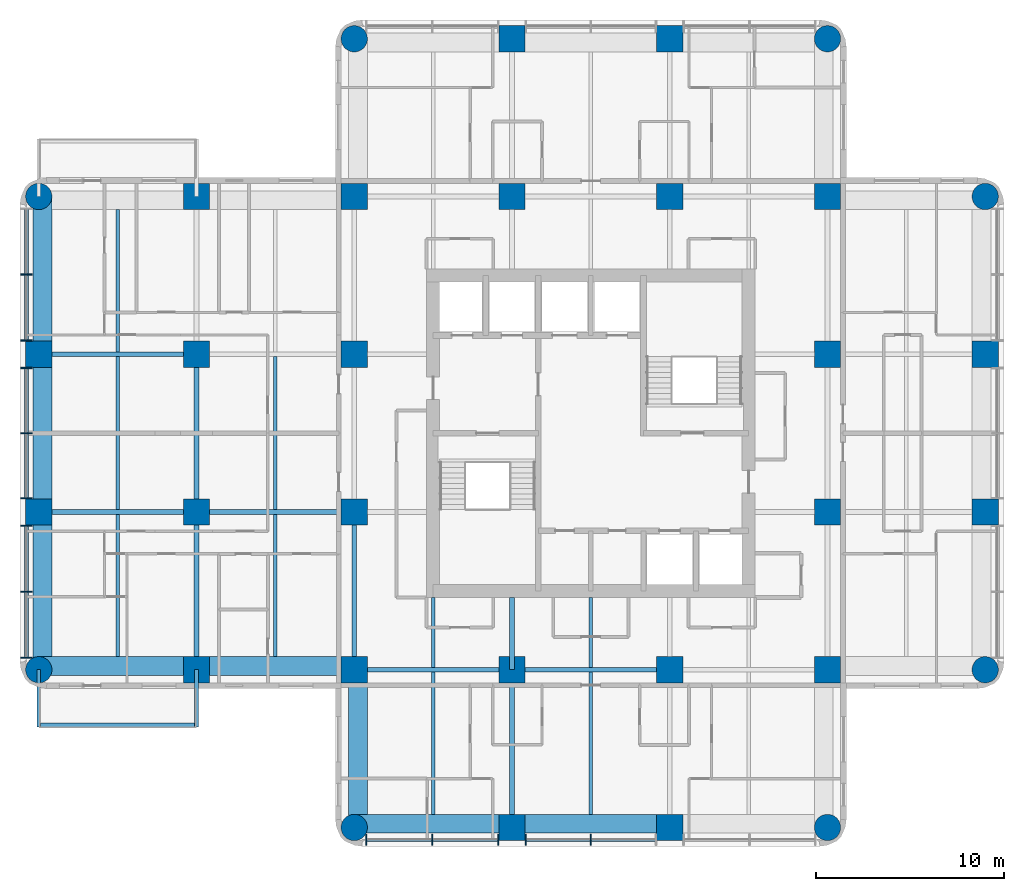
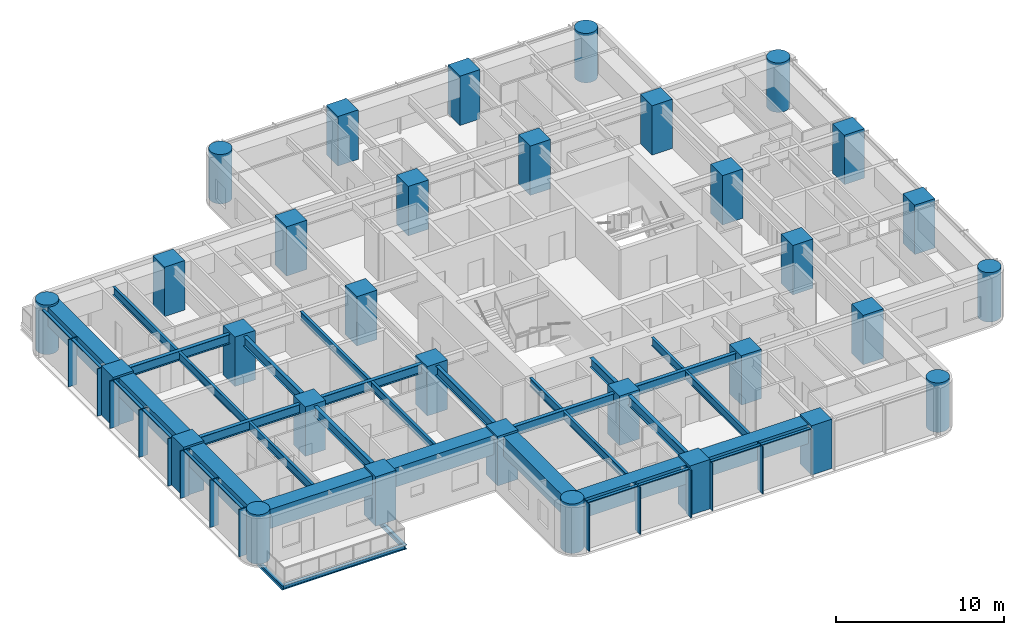
# One storey, part 1 of 11: 32 columns, 30 beams, 23 members, 2 elements without a shape of their own.
"""IFC4 building model written with IfcOpenShell, lengths in metres."""

from ifc_helpers import new_model, si_unit, direction, frame, origin, origin_2d, place, context, subcontext, project, spatial, rectangle, circle, i_section, extrude, material, material_profile, profile_set, type_object, element, aggregate, save


model = new_model("IFC4")

# Units and contexts
model_context = context("Model", 3, precision=1e-05, world=origin(), true_north=direction((0.0, 1.0)))
body_context = subcontext(model_context, "Body", "Model", "MODEL_VIEW")
ifc_project = project(units=[si_unit("LENGTHUNIT", "METRE"), si_unit("AREAUNIT", "SQUARE_METRE"), si_unit("VOLUMEUNIT", "CUBIC_METRE"), si_unit("PLANEANGLEUNIT", "RADIAN"), si_unit("MASSUNIT", "GRAM", prefix="KILO")], contexts=[model_context])

# Site, building, storey
site_placement = place(None, origin())
site = spatial("IfcSite", under=ifc_project, at=site_placement, CompositionType="ELEMENT")
building_placement = place(site_placement, origin())
building = spatial("IfcBuilding", under=site, at=building_placement, Name="Torre Alcanfor", CompositionType="ELEMENT")
storey_placement = place(building_placement, frame((0.0, 0.0, 194.10009765625)))
storey = spatial("IfcBuildingStorey", under=building, at=storey_placement, Name="L50", CompositionType="ELEMENT", Elevation=194.10009765625)

# Columns
ifc_material_1 = material(Name="Concrete f'c 70 MPa", Category="concrete")
ifc_material_profile_1 = material_profile(ifc_material_1, rectangle(XDim=1.39990234375, YDim=1.39990234375, at=origin_2d()), Name="1400x1400")
ifc_profile_set_1 = profile_set([ifc_material_profile_1], Name="Concrete f'c 70 MPa")
column_type_1 = type_object("IfcColumnType", Name="RC column 1400x1400 f'c70", PredefinedType="COLUMN", material=ifc_profile_set_1)
for number, where, z_axis, x_axis, name in (
    (1, (0.0, 25.199951171875, 0.0), (0.0, 0.0, 1.0), (1.0, 0.0, 0.0), "Column 1/F L50"),
    (2, (0.0, 33.60009765625, 0.0), (0.0, 0.0, 1.0), (1.0, 0.0, 0.0), "Column 1/G L50"),
    (3, (8.39990234375, 16.800048828125, 0.0), (0.0, 0.0, 1.0), (1.0, 0.0, 0.0), "Column 2/E L50"),
    (4, (8.39990234375, 25.199951171875, 0.0), (0.0, 0.0, 1.0), (1.0, 0.0, 0.0), "Column 2/F L50"),
    (5, (8.39990234375, 33.60009765625, 0.0), (0.0, 0.0, 1.0), (1.0, 0.0, 0.0), "Column 2/G L50"),
    (6, (8.39990234375, 42.0, 0.0), (0.0, 0.0, 1.0), (1.0, 0.0, 0.0), "Column 2/H L50"),
    (7, (16.800048828125, 16.800048828125, 0.0), (0.0, 0.0, 1.0), (1.0, 0.0, 0.0), "Column 3/E L50"),
    (8, (16.800048828125, 25.199951171875, 0.0), (0.0, 0.0, 1.0), (1.0, 0.0, 0.0), "Column 3/F L50"),
    (9, (16.800048828125, 33.60009765625, 0.0), (0.0, 0.0, 1.0), (1.0, 0.0, 0.0), "Column 3/G L50"),
    (10, (16.800048828125, 42.0, 0.0), (0.0, 0.0, 1.0), (1.0, 0.0, 0.0), "Column 3/H L50"),
    (11, (25.199951171875, 8.39990234375, 0.0), (0.0, 0.0, 1.0), (1.0, 0.0, 0.0), "Column 4/D L50"),
    (12, (25.199951171875, 16.800048828125, 0.0), (0.0, 0.0, 1.0), (1.0, 0.0, 0.0), "Column 4/E L50"),
    (13, (25.199951171875, 42.0, 0.0), (0.0, 0.0, 1.0), (1.0, 0.0, 0.0), "Column 4/H L50"),
    (14, (25.199951171875, 50.39990234375, 0.0), (0.0, 0.0, 1.0), (1.0, 0.0, 0.0), "Column 4/J L50"),
    (15, (33.60009765625, 8.39990234375, 0.0), (0.0, 0.0, 1.0), (1.0, 0.0, 0.0), "Column 5/D L50"),
    (16, (33.60009765625, 16.800048828125, 0.0), (0.0, 0.0, 1.0), (1.0, 0.0, 0.0), "Column 5/E L50"),
    (17, (33.60009765625, 42.0, 0.0), (0.0, 0.0, 1.0), (1.0, 0.0, 0.0), "Column 5/H L50"),
    (18, (33.60009765625, 50.39990234375, 0.0), (0.0, 0.0, 1.0), (1.0, 0.0, 0.0), "Column 5/J L50"),
    (19, (42.0, 16.800048828125, 0.0), (0.0, 0.0, 1.0), (1.0, 0.0, 0.0), "Column 6/E L50"),
    (20, (42.0, 25.199951171875, 0.0), (0.0, 0.0, 1.0), (1.0, 0.0, 0.0), "Column 6/F L50"),
    (21, (42.0, 33.60009765625, 0.0), (0.0, 0.0, 1.0), (1.0, 0.0, 0.0), "Column 6/G L50"),
    (22, (42.0, 42.0, 0.0), (0.0, 0.0, 1.0), (1.0, 0.0, 0.0), "Column 6/H L50"),
    (23, (50.39990234375, 25.199951171875, 0.0), (0.0, 0.0, 1.0), (1.0, 0.0, 0.0), "Column 7/F L50"),
    (24, (50.39990234375, 33.60009765625, 0.0), (0.0, 0.0, 1.0), (1.0, 0.0, 0.0), "Column 7/G L50"),
):
    element("IfcColumn", number, at=place(storey_placement, frame(where, z_axis=z_axis, x_axis=x_axis)), inside=storey, type_object=column_type_1, Name=name, PredefinedType="COLUMN", context=body_context, shape_type="SweptSolid", body=[
        extrude(rectangle(XDim=1.39990234375, YDim=1.39990234375, at=origin_2d()), origin(), (0.0, 0.0, 1.0), 3.599853515625),
    ])
ifc_material_2 = material(Name="Concrete f'c 70 MPa", Category="concrete")
ifc_material_profile_2 = material_profile(ifc_material_2, circle(Radius=0.699951171875, at=origin_2d()), Name="D1400")
ifc_profile_set_2 = profile_set([ifc_material_profile_2], Name="Concrete f'c 70 MPa")
column_type_2 = type_object("IfcColumnType", Name="RC column D1400 f'c70", PredefinedType="COLUMN", material=ifc_profile_set_2)
for number, where, z_axis, x_axis, name in (
    (25, (0.0, 16.800048828125, 0.0), (0.0, 0.0, 1.0), (1.0, 0.0, 0.0), "Column 1/E L50"),
    (26, (0.0, 42.0, 0.0), (0.0, 0.0, 1.0), (1.0, 0.0, 0.0), "Column 1/H L50"),
    (27, (16.800048828125, 8.39990234375, 0.0), (0.0, 0.0, 1.0), (1.0, 0.0, 0.0), "Column 3/D L50"),
    (28, (16.800048828125, 50.39990234375, 0.0), (0.0, 0.0, 1.0), (1.0, 0.0, 0.0), "Column 3/J L50"),
    (29, (42.0, 8.39990234375, 0.0), (0.0, 0.0, 1.0), (1.0, 0.0, 0.0), "Column 6/D L50"),
    (30, (42.0, 50.39990234375, 0.0), (0.0, 0.0, 1.0), (1.0, 0.0, 0.0), "Column 6/J L50"),
    (31, (50.39990234375, 16.800048828125, 0.0), (0.0, 0.0, 1.0), (1.0, 0.0, 0.0), "Column 7/E L50"),
    (32, (50.39990234375, 42.0, 0.0), (0.0, 0.0, 1.0), (1.0, 0.0, 0.0), "Column 7/H L50"),
):
    element("IfcColumn", number, at=place(storey_placement, frame(where, z_axis=z_axis, x_axis=x_axis)), inside=storey, type_object=column_type_2, Name=name, PredefinedType="COLUMN", context=body_context, shape_type="SweptSolid", body=[
        extrude(circle(Radius=0.699951171875, at=origin_2d()), origin(), (0.0, 0.0, 1.0), 3.599853515625),
    ])

# Beams
ifc_material_3 = material(Name="Steel ASTM A992 Grade 50", Category="steel")
ifc_material_profile_3 = material_profile(ifc_material_3, i_section(OverallWidth=0.205322265625, OverallDepth=0.309814453125, WebThickness=0.00927734375, FlangeThickness=0.016357421875, at=origin_2d()), Name="W12x50")
ifc_profile_set_3 = profile_set([ifc_material_profile_3], Name="Steel ASTM A992 Grade 50")
beam_type_1 = type_object("IfcBeamType", Name="Balcony cantilever beam W12x50", PredefinedType="BEAM", material=ifc_profile_set_3)
for number, where, z_axis, x_axis, name in (
    (33, (8.39990234375, 16.800048828125, -0.35498046875), (0.0, -1.0, 0.0), (1.0, 0.0, 0.0), "Balcony cantilever beam L50-W1 1"),
    (34, (0.0, 16.800048828125, -0.35498046875), (0.0, -1.0, 0.0), (1.0, 0.0, 0.0), "Balcony cantilever beam L50-W1 2"),
):
    element("IfcBeam", number, at=place(storey_placement, frame(where, z_axis=z_axis, x_axis=x_axis)), inside=storey, type_object=beam_type_1, Name=name, PredefinedType="BEAM", context=body_context, shape_type="SweptSolid", body=[
        extrude(i_section(OverallWidth=0.205322265625, OverallDepth=0.309814453125, WebThickness=0.00927734375, FlangeThickness=0.016357421875, at=origin_2d()), origin(), (0.0, 0.0, 1.0), 3.050048828125),
    ])
ifc_material_4 = material(Name="Steel ASTM A992 Grade 50", Category="steel")
ifc_material_profile_4 = material_profile(ifc_material_4, i_section(OverallWidth=0.203369140625, OverallDepth=0.30224609375, WebThickness=0.007568359375, FlangeThickness=0.01318359375, at=origin_2d()), Name="W12x40")
ifc_profile_set_4 = profile_set([ifc_material_profile_4], Name="Steel ASTM A992 Grade 50")
beam_type_2 = type_object("IfcBeamType", Name="Balcony edge trimmer W12x40", PredefinedType="BEAM", material=ifc_profile_set_4)
beam_1_placement = place(storey_placement, frame((8.39990234375, 13.851806640625, -0.351318359375), z_axis=(-1.0, 0.0, 0.0), x_axis=(0.0, -1.0, 0.0)))
element("IfcBeam", 35, at=beam_1_placement, inside=storey, type_object=beam_type_2, Name="Balcony edge trimmer L50-W1", PredefinedType="BEAM", context=body_context, shape_type="SweptSolid", body=[
    extrude(i_section(OverallWidth=0.203369140625, OverallDepth=0.30224609375, WebThickness=0.007568359375, FlangeThickness=0.01318359375, at=origin_2d()), origin(), (0.0, 0.0, 1.0), 8.39990234375),
])

# Curtain wall, members
ifc_material_5 = material(Name="Aluminium and glass", Category="aluminium")
curtain_wall_type = type_object("IfcCurtainWallType", Name="CW-A unitised apartment glazing with vertical FIN", PredefinedType="NOTDEFINED", material=ifc_material_5)
curtain_wall_1_placement = place(storey_placement, origin())
curtain_wall_1 = element("IfcCurtainWall", 36, at=curtain_wall_1_placement, inside=storey, type_object=curtain_wall_type, Name="Curtain wall CW-A L50 2", PredefinedType="NOTDEFINED")
ifc_material_6 = material(Name="Bronze anodised aluminium", Category="aluminium")
ifc_material_profile_5 = material_profile(ifc_material_6, rectangle(XDim=0.60009765625, YDim=0.06494140625, at=origin_2d()), Name="CW-A mullion 65x600")
ifc_profile_set_5 = profile_set([ifc_material_profile_5], Name="Bronze anodised aluminium")
member_type_1 = type_object("IfcMemberType", Name="CW-A mullion with vertical FIN 65x600", PredefinedType="MULLION", material=ifc_profile_set_5)
member_1_placement = place(storey_placement, frame((-0.64990234375, 37.846435546875, 0.0), z_axis=(0.0, 0.0, 1.0), x_axis=(1.0, 0.0, 0.0)))
member_1 = element("IfcMember", 37, at=member_1_placement, type_object=member_type_1, Name="CW-A mullion 1.2", PredefinedType="MULLION", context=body_context, shape_type="SweptSolid", body=[
    extrude(rectangle(XDim=0.60009765625, YDim=0.06494140625, at=origin_2d()), origin(), (0.0, 0.0, 1.0), 3.449951171875),
])
member_2_placement = place(storey_placement, frame((-0.64990234375, 34.33740234375, 0.0), z_axis=(0.0, 0.0, 1.0), x_axis=(1.0, 0.0, 0.0)))
member_2 = element("IfcMember", 38, at=member_2_placement, type_object=member_type_1, Name="CW-A mullion 1.3", PredefinedType="MULLION", context=body_context, shape_type="SweptSolid", body=[
    extrude(rectangle(XDim=0.60009765625, YDim=0.06494140625, at=origin_2d()), origin(), (0.0, 0.0, 1.0), 3.449951171875),
])
member_3_placement = place(storey_placement, frame((-0.64990234375, 32.862548828125, 0.0), z_axis=(0.0, 0.0, 1.0), x_axis=(1.0, 0.0, 0.0)))
member_3 = element("IfcMember", 39, at=member_3_placement, type_object=member_type_1, Name="CW-A mullion 2.1", PredefinedType="MULLION", context=body_context, shape_type="SweptSolid", body=[
    extrude(rectangle(XDim=0.60009765625, YDim=0.06494140625, at=origin_2d()), origin(), (0.0, 0.0, 1.0), 3.449951171875),
])
member_4_placement = place(storey_placement, frame((-0.64990234375, 29.39990234375, 0.0), z_axis=(0.0, 0.0, 1.0), x_axis=(1.0, 0.0, 0.0)))
member_4 = element("IfcMember", 40, at=member_4_placement, type_object=member_type_1, Name="CW-A mullion 2.2", PredefinedType="MULLION", context=body_context, shape_type="SweptSolid", body=[
    extrude(rectangle(XDim=0.60009765625, YDim=0.06494140625, at=origin_2d()), origin(), (0.0, 0.0, 1.0), 3.449951171875),
])
member_5_placement = place(storey_placement, frame((-0.64990234375, 25.9375, 0.0), z_axis=(0.0, 0.0, 1.0), x_axis=(1.0, 0.0, 0.0)))
member_5 = element("IfcMember", 41, at=member_5_placement, type_object=member_type_1, Name="CW-A mullion 2.3", PredefinedType="MULLION", context=body_context, shape_type="SweptSolid", body=[
    extrude(rectangle(XDim=0.60009765625, YDim=0.06494140625, at=origin_2d()), origin(), (0.0, 0.0, 1.0), 3.449951171875),
])
member_6_placement = place(storey_placement, frame((-0.64990234375, 24.46240234375, 0.0), z_axis=(0.0, 0.0, 1.0), x_axis=(1.0, 0.0, 0.0)))
member_6 = element("IfcMember", 42, at=member_6_placement, type_object=member_type_1, Name="CW-A mullion 3.1", PredefinedType="MULLION", context=body_context, shape_type="SweptSolid", body=[
    extrude(rectangle(XDim=0.60009765625, YDim=0.06494140625, at=origin_2d()), origin(), (0.0, 0.0, 1.0), 3.449951171875),
])
member_7_placement = place(storey_placement, frame((-0.64990234375, 20.95361328125, 0.0), z_axis=(0.0, 0.0, 1.0), x_axis=(1.0, 0.0, 0.0)))
member_7 = element("IfcMember", 43, at=member_7_placement, type_object=member_type_1, Name="CW-A mullion 3.2", PredefinedType="MULLION", context=body_context, shape_type="SweptSolid", body=[
    extrude(rectangle(XDim=0.60009765625, YDim=0.06494140625, at=origin_2d()), origin(), (0.0, 0.0, 1.0), 3.449951171875),
])
member_8_placement = place(storey_placement, frame((-0.64990234375, 17.444580078125, 0.0), z_axis=(0.0, 0.0, 1.0), x_axis=(1.0, 0.0, 0.0)))
member_8 = element("IfcMember", 44, at=member_8_placement, type_object=member_type_1, Name="CW-A mullion 3.3", PredefinedType="MULLION", context=body_context, shape_type="SweptSolid", body=[
    extrude(rectangle(XDim=0.60009765625, YDim=0.06494140625, at=origin_2d()), origin(), (0.0, 0.0, 1.0), 3.449951171875),
])

curtain_wall_2_placement = place(storey_placement, origin())
curtain_wall_2 = element("IfcCurtainWall", 45, at=curtain_wall_2_placement, inside=storey, type_object=curtain_wall_type, Name="Curtain wall CW-A L50 5", PredefinedType="NOTDEFINED")
member_9_placement = place(storey_placement, frame((17.444580078125, 7.75, 0.0), z_axis=(0.0, 0.0, 1.0), x_axis=(0.0, 1.0, 0.0)))
member_9 = element("IfcMember", 46, at=member_9_placement, type_object=member_type_1, Name="CW-A mullion 1.1", PredefinedType="MULLION", context=body_context, shape_type="SweptSolid", body=[
    extrude(rectangle(XDim=0.60009765625, YDim=0.06494140625, at=origin_2d()), origin(), (0.0, 0.0, 1.0), 3.449951171875),
])
member_10_placement = place(storey_placement, frame((20.95361328125, 7.75, 0.0), z_axis=(0.0, 0.0, 1.0), x_axis=(0.0, 1.0, 0.0)))
member_10 = element("IfcMember", 47, at=member_10_placement, type_object=member_type_1, Name="CW-A mullion 1.2", PredefinedType="MULLION", context=body_context, shape_type="SweptSolid", body=[
    extrude(rectangle(XDim=0.60009765625, YDim=0.06494140625, at=origin_2d()), origin(), (0.0, 0.0, 1.0), 3.449951171875),
])
member_11_placement = place(storey_placement, frame((24.46240234375, 7.75, 0.0), z_axis=(0.0, 0.0, 1.0), x_axis=(0.0, 1.0, 0.0)))
member_11 = element("IfcMember", 48, at=member_11_placement, type_object=member_type_1, Name="CW-A mullion 1.3", PredefinedType="MULLION", context=body_context, shape_type="SweptSolid", body=[
    extrude(rectangle(XDim=0.60009765625, YDim=0.06494140625, at=origin_2d()), origin(), (0.0, 0.0, 1.0), 3.449951171875),
])
member_12_placement = place(storey_placement, frame((25.9375, 7.75, 0.0), z_axis=(0.0, 0.0, 1.0), x_axis=(0.0, 1.0, 0.0)))
member_12 = element("IfcMember", 49, at=member_12_placement, type_object=member_type_1, Name="CW-A mullion 2.1", PredefinedType="MULLION", context=body_context, shape_type="SweptSolid", body=[
    extrude(rectangle(XDim=0.60009765625, YDim=0.06494140625, at=origin_2d()), origin(), (0.0, 0.0, 1.0), 3.449951171875),
])
member_13_placement = place(storey_placement, frame((29.39990234375, 7.75, 0.0), z_axis=(0.0, 0.0, 1.0), x_axis=(0.0, 1.0, 0.0)))
member_13 = element("IfcMember", 50, at=member_13_placement, type_object=member_type_1, Name="CW-A mullion 2.2", PredefinedType="MULLION", context=body_context, shape_type="SweptSolid", body=[
    extrude(rectangle(XDim=0.60009765625, YDim=0.06494140625, at=origin_2d()), origin(), (0.0, 0.0, 1.0), 3.449951171875),
])

# Member
ifc_material_7 = material(Name="Extruded aluminium", Category="aluminium")
ifc_material_profile_6 = material_profile(ifc_material_7, rectangle(XDim=0.199951171875, YDim=0.06494140625, at=origin_2d()), Name="CW-A transom 200x65")
ifc_profile_set_6 = profile_set([ifc_material_profile_6], Name="Extruded aluminium")
member_type_2 = type_object("IfcMemberType", Name="CW-A transom 65x200", PredefinedType="USERDEFINED", material=ifc_profile_set_6)
member_14_placement = place(storey_placement, frame((-0.64990234375, 41.322998046875, 3.41748046875), z_axis=(0.0, -1.0, 0.0), x_axis=(1.0, 0.0, 0.0)))
member_14 = element("IfcMember", 51, at=member_14_placement, type_object=member_type_2, Name="CW-A transom 1.1.2", ObjectType="TRANSOM", PredefinedType="USERDEFINED", context=body_context, shape_type="SweptSolid", body=[
    extrude(rectangle(XDim=0.199951171875, YDim=0.06494140625, at=origin_2d()), origin(), (0.0, 0.0, 1.0), 3.444091796875),
])

member_15_placement = place(storey_placement, frame((-0.64990234375, 37.81396484375, 3.41748046875), z_axis=(0.0, -1.0, 0.0), x_axis=(1.0, 0.0, 0.0)))
member_15 = element("IfcMember", 52, at=member_15_placement, type_object=member_type_2, Name="CW-A transom 1.2.2", ObjectType="TRANSOM", PredefinedType="USERDEFINED", context=body_context, shape_type="SweptSolid", body=[
    extrude(rectangle(XDim=0.199951171875, YDim=0.06494140625, at=origin_2d()), origin(), (0.0, 0.0, 1.0), 3.44384765625),
])

member_16_placement = place(storey_placement, frame((-0.64990234375, 32.830078125, 3.41748046875), z_axis=(0.0, -1.0, 0.0), x_axis=(1.0, 0.0, 0.0)))
member_16 = element("IfcMember", 53, at=member_16_placement, type_object=member_type_2, Name="CW-A transom 2.1.2", ObjectType="TRANSOM", PredefinedType="USERDEFINED", context=body_context, shape_type="SweptSolid", body=[
    extrude(rectangle(XDim=0.199951171875, YDim=0.06494140625, at=origin_2d()), origin(), (0.0, 0.0, 1.0), 3.3974609375),
])

member_17_placement = place(storey_placement, frame((-0.64990234375, 29.367431640625, 3.41748046875), z_axis=(0.0, -1.0, 0.0), x_axis=(1.0, 0.0, 0.0)))
member_17 = element("IfcMember", 54, at=member_17_placement, type_object=member_type_2, Name="CW-A transom 2.2.2", ObjectType="TRANSOM", PredefinedType="USERDEFINED", context=body_context, shape_type="SweptSolid", body=[
    extrude(rectangle(XDim=0.199951171875, YDim=0.06494140625, at=origin_2d()), origin(), (0.0, 0.0, 1.0), 3.3974609375),
])

member_18_placement = place(storey_placement, frame((-0.64990234375, 24.429931640625, 3.41748046875), z_axis=(0.0, -1.0, 0.0), x_axis=(1.0, 0.0, 0.0)))
member_18 = element("IfcMember", 55, at=member_18_placement, type_object=member_type_2, Name="CW-A transom 3.1.2", ObjectType="TRANSOM", PredefinedType="USERDEFINED", context=body_context, shape_type="SweptSolid", body=[
    extrude(rectangle(XDim=0.199951171875, YDim=0.06494140625, at=origin_2d()), origin(), (0.0, 0.0, 1.0), 3.44384765625),
])

member_19_placement = place(storey_placement, frame((-0.64990234375, 20.9208984375, 3.41748046875), z_axis=(0.0, -1.0, 0.0), x_axis=(1.0, 0.0, 0.0)))
member_19 = element("IfcMember", 56, at=member_19_placement, type_object=member_type_2, Name="CW-A transom 3.2.2", ObjectType="TRANSOM", PredefinedType="USERDEFINED", context=body_context, shape_type="SweptSolid", body=[
    extrude(rectangle(XDim=0.199951171875, YDim=0.06494140625, at=origin_2d()), origin(), (0.0, 0.0, 1.0), 3.44384765625),
])

aggregate(curtain_wall_1, [member_1, member_2, member_14, member_15, member_3, member_4, member_5, member_16, member_17, member_6, member_7, member_8, member_18, member_19])

member_20_placement = place(storey_placement, frame((17.47705078125, 7.75, 3.41748046875), z_axis=(1.0, 0.0, 0.0), x_axis=(0.0, 1.0, 0.0)))
member_20 = element("IfcMember", 57, at=member_20_placement, type_object=member_type_2, Name="CW-A transom 1.1.2", ObjectType="TRANSOM", PredefinedType="USERDEFINED", context=body_context, shape_type="SweptSolid", body=[
    extrude(rectangle(XDim=0.199951171875, YDim=0.06494140625, at=origin_2d()), origin(), (0.0, 0.0, 1.0), 3.44384765625),
])

member_21_placement = place(storey_placement, frame((20.986083984375, 7.75, 3.41748046875), z_axis=(1.0, 0.0, 0.0), x_axis=(0.0, 1.0, 0.0)))
member_21 = element("IfcMember", 58, at=member_21_placement, type_object=member_type_2, Name="CW-A transom 1.2.2", ObjectType="TRANSOM", PredefinedType="USERDEFINED", context=body_context, shape_type="SweptSolid", body=[
    extrude(rectangle(XDim=0.199951171875, YDim=0.06494140625, at=origin_2d()), origin(), (0.0, 0.0, 1.0), 3.44384765625),
])

member_22_placement = place(storey_placement, frame((25.969970703125, 7.75, 3.41748046875), z_axis=(1.0, 0.0, 0.0), x_axis=(0.0, 1.0, 0.0)))
member_22 = element("IfcMember", 59, at=member_22_placement, type_object=member_type_2, Name="CW-A transom 2.1.2", ObjectType="TRANSOM", PredefinedType="USERDEFINED", context=body_context, shape_type="SweptSolid", body=[
    extrude(rectangle(XDim=0.199951171875, YDim=0.06494140625, at=origin_2d()), origin(), (0.0, 0.0, 1.0), 3.3974609375),
])

member_23_placement = place(storey_placement, frame((29.4326171875, 7.75, 3.41748046875), z_axis=(1.0, 0.0, 0.0), x_axis=(0.0, 1.0, 0.0)))
member_23 = element("IfcMember", 60, at=member_23_placement, type_object=member_type_2, Name="CW-A transom 2.2.2", ObjectType="TRANSOM", PredefinedType="USERDEFINED", context=body_context, shape_type="SweptSolid", body=[
    extrude(rectangle(XDim=0.199951171875, YDim=0.06494140625, at=origin_2d()), origin(), (0.0, 0.0, 1.0), 3.3974609375),
])

aggregate(curtain_wall_2, [member_9, member_10, member_11, member_20, member_21, member_12, member_13, member_22, member_23])

# Beams
ifc_material_8 = material(Name="Steel ASTM A992 Grade 50", Category="steel")
ifc_material_profile_7 = material_profile(ifc_material_8, i_section(OverallWidth=0.25390625, OverallDepth=0.683349609375, WebThickness=0.012451171875, FlangeThickness=0.01904296875, at=origin_2d()), Name="W27x94")
ifc_profile_set_7 = profile_set([ifc_material_profile_7], Name="Steel ASTM A992 Grade 50")
beam_type_3 = type_object("IfcBeamType", Name="Girder W27x94", PredefinedType="BEAM", material=ifc_profile_set_7)
beam_2_placement = place(storey_placement, frame((16.800048828125, 16.800048828125, 3.108154296875), z_axis=(1.0, 0.0, 0.0), x_axis=(0.0, 1.0, 0.0)))
element("IfcBeam", 61, at=beam_2_placement, inside=storey, type_object=beam_type_3, Name="Beam 3E-4E under L51", PredefinedType="BEAM", context=body_context, shape_type="SweptSolid", body=[
    extrude(i_section(OverallWidth=0.25390625, OverallDepth=0.683349609375, WebThickness=0.012451171875, FlangeThickness=0.01904296875, at=origin_2d()), origin(), (0.0, 0.0, 1.0), 8.39990234375),
])
beam_3_placement = place(storey_placement, frame((25.199951171875, 16.800048828125, 3.108154296875), z_axis=(1.0, 0.0, 0.0), x_axis=(0.0, 1.0, 0.0)))
element("IfcBeam", 62, at=beam_3_placement, inside=storey, type_object=beam_type_3, Name="Beam 4E-5E under L51", PredefinedType="BEAM", context=body_context, shape_type="SweptSolid", body=[
    extrude(i_section(OverallWidth=0.25390625, OverallDepth=0.683349609375, WebThickness=0.012451171875, FlangeThickness=0.01904296875, at=origin_2d()), origin(), (0.0, 0.0, 1.0), 8.400146484375),
])
beam_4_placement = place(storey_placement, frame((0.0, 25.199951171875, 3.108154296875), z_axis=(1.0, 0.0, 0.0), x_axis=(0.0, 1.0, 0.0)))
element("IfcBeam", 63, at=beam_4_placement, inside=storey, type_object=beam_type_3, Name="Beam 1F-2F under L51", PredefinedType="BEAM", context=body_context, shape_type="SweptSolid", body=[
    extrude(i_section(OverallWidth=0.25390625, OverallDepth=0.683349609375, WebThickness=0.012451171875, FlangeThickness=0.01904296875, at=origin_2d()), origin(), (0.0, 0.0, 1.0), 8.39990234375),
])
beam_5_placement = place(storey_placement, frame((8.39990234375, 25.199951171875, 3.108154296875), z_axis=(1.0, 0.0, 0.0), x_axis=(0.0, 1.0, 0.0)))
element("IfcBeam", 64, at=beam_5_placement, inside=storey, type_object=beam_type_3, Name="Beam 2F-3F under L51", PredefinedType="BEAM", context=body_context, shape_type="SweptSolid", body=[
    extrude(i_section(OverallWidth=0.25390625, OverallDepth=0.683349609375, WebThickness=0.012451171875, FlangeThickness=0.01904296875, at=origin_2d()), origin(), (0.0, 0.0, 1.0), 8.400146484375),
])
for number, where, z_axis, x_axis, name in (
    (65, (0.0, 33.60009765625, 3.108154296875), (1.0, 0.0, 0.0), (0.0, 1.0, 0.0), "Beam 1G-2G under L51"),
    (66, (8.39990234375, 16.800048828125, 3.108154296875), (0.0, 1.0, 0.0), (-1.0, 0.0, 0.0), "Beam 2E-2F under L51"),
):
    element("IfcBeam", number, at=place(storey_placement, frame(where, z_axis=z_axis, x_axis=x_axis)), inside=storey, type_object=beam_type_3, Name=name, PredefinedType="BEAM", context=body_context, shape_type="SweptSolid", body=[
        extrude(i_section(OverallWidth=0.25390625, OverallDepth=0.683349609375, WebThickness=0.012451171875, FlangeThickness=0.01904296875, at=origin_2d()), origin(), (0.0, 0.0, 1.0), 8.39990234375),
    ])
beam_6_placement = place(storey_placement, frame((8.39990234375, 25.199951171875, 3.108154296875), z_axis=(0.0, 1.0, 0.0), x_axis=(-1.0, 0.0, 0.0)))
element("IfcBeam", 67, at=beam_6_placement, inside=storey, type_object=beam_type_3, Name="Beam 2F-2G under L51", PredefinedType="BEAM", context=body_context, shape_type="SweptSolid", body=[
    extrude(i_section(OverallWidth=0.25390625, OverallDepth=0.683349609375, WebThickness=0.012451171875, FlangeThickness=0.01904296875, at=origin_2d()), origin(), (0.0, 0.0, 1.0), 8.400146484375),
])
beam_7_placement = place(storey_placement, frame((16.800048828125, 16.800048828125, 3.108154296875), z_axis=(0.0, 1.0, 0.0), x_axis=(-1.0, 0.0, 0.0)))
element("IfcBeam", 68, at=beam_7_placement, inside=storey, type_object=beam_type_3, Name="Beam 3E-3F under L51", PredefinedType="BEAM", context=body_context, shape_type="SweptSolid", body=[
    extrude(i_section(OverallWidth=0.25390625, OverallDepth=0.683349609375, WebThickness=0.012451171875, FlangeThickness=0.01904296875, at=origin_2d()), origin(), (0.0, 0.0, 1.0), 8.39990234375),
])
beam_8_placement = place(storey_placement, frame((25.199951171875, 8.39990234375, 3.108154296875), z_axis=(0.0, 1.0, 0.0), x_axis=(-1.0, 0.0, 0.0)))
element("IfcBeam", 69, at=beam_8_placement, inside=storey, type_object=beam_type_3, Name="Beam 4D-4E under L51", PredefinedType="BEAM", context=body_context, shape_type="SweptSolid", body=[
    extrude(i_section(OverallWidth=0.25390625, OverallDepth=0.683349609375, WebThickness=0.012451171875, FlangeThickness=0.01904296875, at=origin_2d()), origin(), (0.0, 0.0, 1.0), 8.400146484375),
])
ifc_material_9 = material(Name="Steel ASTM A992 Grade 50", Category="steel")
ifc_material_profile_8 = material_profile(ifc_material_9, i_section(OverallWidth=0.25390625, OverallDepth=0.683349609375, WebThickness=0.012451171875, FlangeThickness=0.01904296875, at=origin_2d()), Name="W27x94")
ifc_profile_set_8 = profile_set([ifc_material_profile_8], Name="Steel ASTM A992 Grade 50")
beam_type_4 = type_object("IfcBeamType", Name="Girder, part bay W27x94", PredefinedType="BEAM", material=ifc_profile_set_8)
beam_9_placement = place(storey_placement, frame((25.199951171875, 16.800048828125, 3.108154296875), z_axis=(0.0, 1.0, 0.0), x_axis=(-1.0, 0.0, 0.0)))
element("IfcBeam", 70, at=beam_9_placement, inside=storey, type_object=beam_type_4, Name="Beam 4E-420_65 under L51", PredefinedType="BEAM", context=body_context, shape_type="SweptSolid", body=[
    extrude(i_section(OverallWidth=0.25390625, OverallDepth=0.683349609375, WebThickness=0.012451171875, FlangeThickness=0.01904296875, at=origin_2d()), origin(), (0.0, 0.0, 1.0), 3.849853515625),
])
ifc_material_10 = material(Name="Concrete f'c 70 MPa", Category="concrete")
ifc_material_profile_9 = material_profile(ifc_material_10, rectangle(XDim=1.0, YDim=1.39990234375, at=origin_2d()), Name="1000x1400")
ifc_profile_set_9 = profile_set([ifc_material_profile_9], Name="Concrete f'c 70 MPa")
beam_type_5 = type_object("IfcBeamType", Name="RC perimeter beam 1000x1400", PredefinedType="BEAM", material=ifc_profile_set_9)
beam_10_placement = place(storey_placement, frame((16.800048828125, 8.60009765625, 2.75), z_axis=(1.0, 0.0, 0.0), x_axis=(0.0, 1.0, 0.0)))
element("IfcBeam", 71, at=beam_10_placement, inside=storey, type_object=beam_type_5, Name="Beam 3D-4D under L51", PredefinedType="BEAM", context=body_context, shape_type="SweptSolid", body=[
    extrude(rectangle(XDim=1.0, YDim=1.39990234375, at=origin_2d()), origin(), (0.0, 0.0, 1.0), 8.27294921875),
])
beam_11_placement = place(storey_placement, frame((25.326904296875, 8.60009765625, 2.75), z_axis=(1.0, 0.0, 0.0), x_axis=(0.0, 1.0, 0.0)))
element("IfcBeam", 72, at=beam_11_placement, inside=storey, type_object=beam_type_5, Name="Beam 4D-5D under L51", PredefinedType="BEAM", context=body_context, shape_type="SweptSolid", body=[
    extrude(rectangle(XDim=1.0, YDim=1.39990234375, at=origin_2d()), origin(), (0.0, 0.0, 1.0), 8.14599609375),
])
beam_12_placement = place(storey_placement, frame((0.0, 17.0, 2.75), z_axis=(1.0, 0.0, 0.0), x_axis=(0.0, 1.0, 0.0)))
element("IfcBeam", 73, at=beam_12_placement, inside=storey, type_object=beam_type_5, Name="Beam 1E-2E under L51", PredefinedType="BEAM", context=body_context, shape_type="SweptSolid", body=[
    extrude(rectangle(XDim=1.0, YDim=1.39990234375, at=origin_2d()), origin(), (0.0, 0.0, 1.0), 8.27294921875),
])
beam_13_placement = place(storey_placement, frame((8.527099609375, 17.0, 2.75), z_axis=(1.0, 0.0, 0.0), x_axis=(0.0, 1.0, 0.0)))
element("IfcBeam", 74, at=beam_13_placement, inside=storey, type_object=beam_type_5, Name="Beam 2E-3E under L51", PredefinedType="BEAM", context=body_context, shape_type="SweptSolid", body=[
    extrude(rectangle(XDim=1.0, YDim=1.39990234375, at=origin_2d()), origin(), (0.0, 0.0, 1.0), 8.14599609375),
])
beam_14_placement = place(storey_placement, frame((0.199951171875, 16.800048828125, 2.75), z_axis=(0.0, 1.0, 0.0), x_axis=(-1.0, 0.0, 0.0)))
element("IfcBeam", 75, at=beam_14_placement, inside=storey, type_object=beam_type_5, Name="Beam 1E-1F under L51", PredefinedType="BEAM", context=body_context, shape_type="SweptSolid", body=[
    extrude(rectangle(XDim=1.0, YDim=1.39990234375, at=origin_2d()), origin(), (0.0, 0.0, 1.0), 8.27294921875),
])
beam_15_placement = place(storey_placement, frame((0.199951171875, 25.326904296875, 2.75), z_axis=(0.0, 1.0, 0.0), x_axis=(-1.0, 0.0, 0.0)))
element("IfcBeam", 76, at=beam_15_placement, inside=storey, type_object=beam_type_5, Name="Beam 1F-1G under L51", PredefinedType="BEAM", context=body_context, shape_type="SweptSolid", body=[
    extrude(rectangle(XDim=1.0, YDim=1.39990234375, at=origin_2d()), origin(), (0.0, 0.0, 1.0), 8.14599609375),
])
beam_16_placement = place(storey_placement, frame((0.199951171875, 33.72705078125, 2.75), z_axis=(0.0, 1.0, 0.0), x_axis=(-1.0, 0.0, 0.0)))
element("IfcBeam", 77, at=beam_16_placement, inside=storey, type_object=beam_type_5, Name="Beam 1G-1H under L51", PredefinedType="BEAM", context=body_context, shape_type="SweptSolid", body=[
    extrude(rectangle(XDim=1.0, YDim=1.39990234375, at=origin_2d()), origin(), (0.0, 0.0, 1.0), 8.27294921875),
])
beam_17_placement = place(storey_placement, frame((17.0, 8.39990234375, 2.75), z_axis=(0.0, 1.0, 0.0), x_axis=(-1.0, 0.0, 0.0)))
element("IfcBeam", 78, at=beam_17_placement, inside=storey, type_object=beam_type_5, Name="Beam 3D-3E under L51", PredefinedType="BEAM", context=body_context, shape_type="SweptSolid", body=[
    extrude(rectangle(XDim=1.0, YDim=1.39990234375, at=origin_2d()), origin(), (0.0, 0.0, 1.0), 8.273193359375),
])
ifc_material_11 = material(Name="Steel ASTM A992 Grade 50", Category="steel")
ifc_material_profile_10 = material_profile(ifc_material_11, i_section(OverallWidth=0.1787109375, OverallDepth=0.60205078125, WebThickness=0.010986328125, FlangeThickness=0.014892578125, at=origin_2d()), Name="W24x62")
ifc_profile_set_10 = profile_set([ifc_material_profile_10], Name="Steel ASTM A992 Grade 50")
beam_type_6 = type_object("IfcBeamType", Name="Secondary beam W24x62", PredefinedType="BEAM", material=ifc_profile_set_10)
beam_18_placement = place(storey_placement, frame((4.199951171875, 17.5, 3.14892578125), z_axis=(0.0, 1.0, 0.0), x_axis=(-1.0, 0.0, 0.0)))
element("IfcBeam", 79, at=beam_18_placement, inside=storey, type_object=beam_type_6, Name="Beam 4_2E-4_2F under L51", PredefinedType="BEAM", context=body_context, shape_type="SweptSolid", body=[
    extrude(i_section(OverallWidth=0.1787109375, OverallDepth=0.60205078125, WebThickness=0.010986328125, FlangeThickness=0.014892578125, at=origin_2d()), origin(), (0.0, 0.0, 1.0), 7.572998046875),
])
beam_19_placement = place(storey_placement, frame((4.199951171875, 25.326904296875, 3.14892578125), z_axis=(0.0, 1.0, 0.0), x_axis=(-1.0, 0.0, 0.0)))
element("IfcBeam", 80, at=beam_19_placement, inside=storey, type_object=beam_type_6, Name="Beam 4_2F-4_2G under L51", PredefinedType="BEAM", context=body_context, shape_type="SweptSolid", body=[
    extrude(i_section(OverallWidth=0.1787109375, OverallDepth=0.60205078125, WebThickness=0.010986328125, FlangeThickness=0.014892578125, at=origin_2d()), origin(), (0.0, 0.0, 1.0), 8.14599609375),
])
for number, where, z_axis, x_axis, name in (
    (81, (4.199951171875, 33.72705078125, 3.14892578125), (0.0, 1.0, 0.0), (-1.0, 0.0, 0.0), "Beam 4_2G-4_2H under L51"),
    (82, (12.60009765625, 17.5, 3.14892578125), (0.0, 1.0, 0.0), (-1.0, 0.0, 0.0), "Beam 12_6E-12_6F under L51"),
):
    element("IfcBeam", number, at=place(storey_placement, frame(where, z_axis=z_axis, x_axis=x_axis)), inside=storey, type_object=beam_type_6, Name=name, PredefinedType="BEAM", context=body_context, shape_type="SweptSolid", body=[
        extrude(i_section(OverallWidth=0.1787109375, OverallDepth=0.60205078125, WebThickness=0.010986328125, FlangeThickness=0.014892578125, at=origin_2d()), origin(), (0.0, 0.0, 1.0), 7.572998046875),
    ])
beam_20_placement = place(storey_placement, frame((12.60009765625, 25.326904296875, 3.14892578125), z_axis=(0.0, 1.0, 0.0), x_axis=(-1.0, 0.0, 0.0)))
element("IfcBeam", 83, at=beam_20_placement, inside=storey, type_object=beam_type_6, Name="Beam 12_6F-12_6G under L51", PredefinedType="BEAM", context=body_context, shape_type="SweptSolid", body=[
    extrude(i_section(OverallWidth=0.1787109375, OverallDepth=0.60205078125, WebThickness=0.010986328125, FlangeThickness=0.014892578125, at=origin_2d()), origin(), (0.0, 0.0, 1.0), 8.14599609375),
])
for number, where, z_axis, x_axis, name in (
    (84, (21.0, 9.10009765625, 3.14892578125), (0.0, 1.0, 0.0), (-1.0, 0.0, 0.0), "Beam 21D-21E under L51"),
    (85, (29.39990234375, 9.10009765625, 3.14892578125), (0.0, 1.0, 0.0), (-1.0, 0.0, 0.0), "Beam 29_4D-29_4E under L51"),
):
    element("IfcBeam", number, at=place(storey_placement, frame(where, z_axis=z_axis, x_axis=x_axis)), inside=storey, type_object=beam_type_6, Name=name, PredefinedType="BEAM", context=body_context, shape_type="SweptSolid", body=[
        extrude(i_section(OverallWidth=0.1787109375, OverallDepth=0.60205078125, WebThickness=0.010986328125, FlangeThickness=0.014892578125, at=origin_2d()), origin(), (0.0, 0.0, 1.0), 7.572998046875),
    ])
ifc_material_12 = material(Name="Steel ASTM A992 Grade 50", Category="steel")
ifc_material_profile_11 = material_profile(ifc_material_12, i_section(OverallWidth=0.1787109375, OverallDepth=0.60205078125, WebThickness=0.010986328125, FlangeThickness=0.014892578125, at=origin_2d()), Name="W24x62")
ifc_profile_set_11 = profile_set([ifc_material_profile_11], Name="Steel ASTM A992 Grade 50")
beam_type_7 = type_object("IfcBeamType", Name="Secondary beam, part bay W24x62", PredefinedType="BEAM", material=ifc_profile_set_11)
for number, where, z_axis, x_axis, name in (
    (86, (21.0, 16.927001953125, 3.14892578125), (0.0, 1.0, 0.0), (-1.0, 0.0, 0.0), "Beam 21E-2120_65 under L51"),
    (87, (29.39990234375, 16.927001953125, 3.14892578125), (0.0, 1.0, 0.0), (-1.0, 0.0, 0.0), "Beam 29_4E-29_420_65 under L51"),
):
    element("IfcBeam", number, at=place(storey_placement, frame(where, z_axis=z_axis, x_axis=x_axis)), inside=storey, type_object=beam_type_7, Name=name, PredefinedType="BEAM", context=body_context, shape_type="SweptSolid", body=[
        extrude(i_section(OverallWidth=0.1787109375, OverallDepth=0.60205078125, WebThickness=0.010986328125, FlangeThickness=0.014892578125, at=origin_2d()), origin(), (0.0, 0.0, 1.0), 3.722900390625),
    ])

save(model, "model.ifc")
